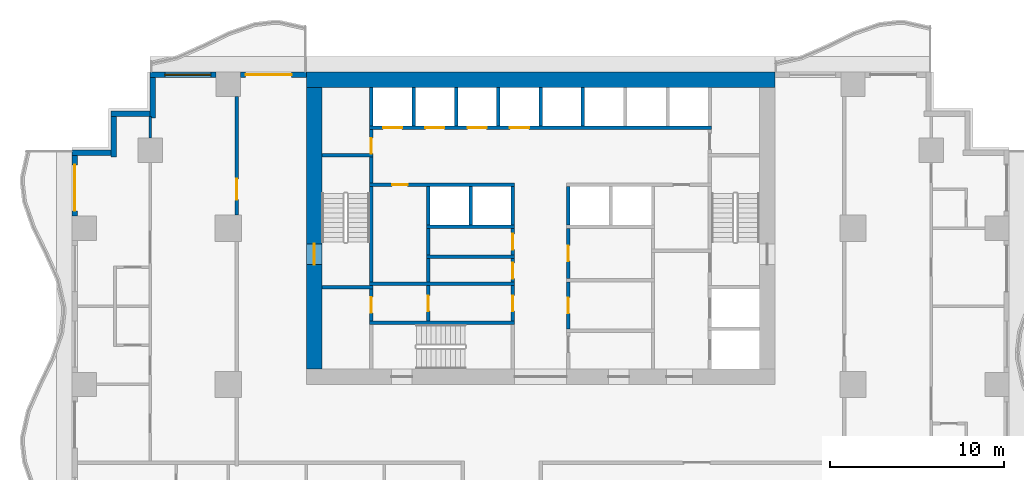
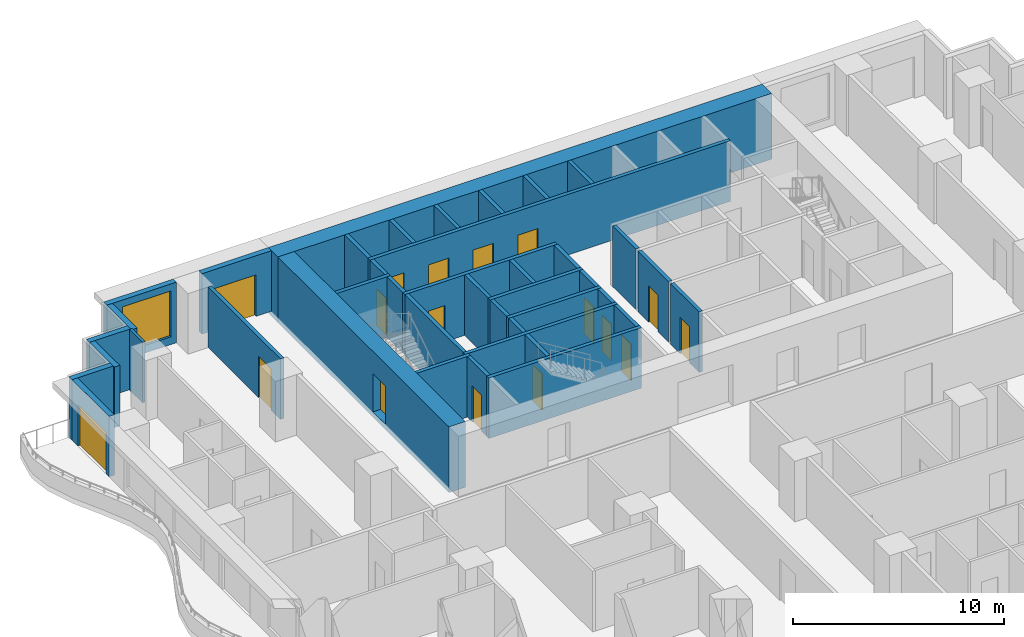
# One storey, part 5 of 14: 41 walls, 17 doors, 1 window, 18 openings.
"""IFC4 building model written with IfcOpenShell, lengths in metres."""

from ifc_helpers import new_model, si_unit, direction, frame, frame_2d, origin, place, context, subcontext, project, spatial, rectangle, extrude, material, layer, layer_set, type_object, element, fill, save


model = new_model("IFC4")

# Units and contexts
model_context = context("Model", 3, precision=1e-05, world=origin(), true_north=direction((0.0, 1.0)))
body_context = subcontext(model_context, "Body", "Model", "MODEL_VIEW")
ifc_project = project(units=[si_unit("LENGTHUNIT", "METRE"), si_unit("AREAUNIT", "SQUARE_METRE"), si_unit("VOLUMEUNIT", "CUBIC_METRE"), si_unit("PLANEANGLEUNIT", "RADIAN"), si_unit("MASSUNIT", "GRAM", prefix="KILO")], contexts=[model_context])

# Site, building, storey
site_placement = place(None, origin())
site = spatial("IfcSite", under=ifc_project, at=site_placement, CompositionType="ELEMENT")
building_placement = place(site_placement, origin())
building = spatial("IfcBuilding", under=site, at=building_placement, Name="Orbiselva Terraces", CompositionType="ELEMENT")
storey_placement = place(building_placement, frame((0.0, 0.0, 49.2)))
storey = spatial("IfcBuildingStorey", under=building, at=storey_placement, Name="L12", CompositionType="ELEMENT", Elevation=49.2)

# Wall, opening, door
ifc_material_1 = material(Name="Concrete C80/95", Category="concrete")
ifc_layer_1 = layer(ifc_material_1, 0.9)
ifc_layer_set_1 = layer_set([ifc_layer_1], Name="Concrete C80/95")
wall_type_1 = type_object("IfcWallType", Name="CORE WALL 900", PredefinedType="SHEAR", material=ifc_layer_set_1)
wall_1_placement = place(storey_placement, frame((-13.05, 21.6, -0.3), z_axis=(0.0, 0.0, 1.0), x_axis=(0.0, -1.0, 0.0)))
wall_1 = element("IfcWall", 1, at=wall_1_placement, inside=storey, type_object=wall_type_1, Name="Core wall L12 west", PredefinedType="SHEAR", context=body_context, shape_type="SweptSolid", body=[
    extrude(rectangle(XDim=16.2, YDim=0.9, at=frame_2d((8.1, 0.0))), origin(), (0.0, 0.0, 1.0), 3.8),
])
opening_1_placement = place(wall_1_placement, frame((9.0, 0.0, 0.3)))
opening_1 = element("IfcOpeningElement", 2, at=opening_1_placement, cuts=wall_1, Name="Opening DS1200", PredefinedType="OPENING", context=body_context, shape_type="SweptSolid", body=[
    extrude(rectangle(XDim=1.2, YDim=2.2, at=frame_2d((0.6, 1.1))), frame((0.0, 0.46, 0.0), z_axis=(0.0, -1.0, 0.0), x_axis=(1.0, 0.0, 0.0)), (0.0, 0.0, 1.0), 0.92),
])
ifc_material_2 = material(Name="Steel fire door", Category="steel")
door_type_1 = type_object("IfcDoorType", Name="STAIR DOOR 1200", OperationType="NOTDEFINED", PredefinedType="DOOR", material=ifc_material_2)
door_1_placement = place(opening_1_placement, frame((1.2, 0.0, 0.0), z_axis=(0.0, 0.0, 1.0), x_axis=(-1.0, 0.0, 0.0)))
door_1 = element("IfcDoor", 3, at=door_1_placement, inside=storey, type_object=door_type_1, Name="L12 EXIT STAIR S1 door", OperationType="SINGLE_SWING_RIGHT", OverallHeight=2.2, OverallWidth=1.2, PredefinedType="DOOR", context=body_context, shape_type="SweptSolid", body=[
    extrude(rectangle(XDim=1.2, YDim=2.2, at=frame_2d((0.6, 1.1))), frame((0.0, 0.025, 0.0), z_axis=(0.0, -1.0, 0.0), x_axis=(1.0, 0.0, 0.0)), (0.0, 0.0, 1.0), 0.05),
])
fill(opening_1, door_1)

# Wall
ifc_layer_2 = layer(ifc_material_1, 0.9)
ifc_layer_set_2 = layer_set([ifc_layer_2], Name="Concrete C80/95")
wall_type_2 = type_object("IfcWallType", Name="CORE WALL 900 EXTERNAL", PredefinedType="SHEAR", material=ifc_layer_set_2)
wall_2_placement = place(storey_placement, frame((13.5, 22.05, -0.3), z_axis=(0.0, 0.0, 1.0), x_axis=(-1.0, 0.0, 0.0)))
element("IfcWall", 4, at=wall_2_placement, inside=storey, type_object=wall_type_2, Name="Core wall L12 north", PredefinedType="SHEAR", context=body_context, shape_type="SweptSolid", body=[
    extrude(rectangle(XDim=27.0, YDim=0.9, at=frame_2d((13.5, 0.0))), origin(), (0.0, 0.0, 1.0), 3.8),
])

# Wall, opening, door
ifc_material_3 = material(Name="Masonry blockwork", Category="masonry")
ifc_layer_3 = layer(ifc_material_3, 0.2)
ifc_layer_set_3 = layer_set([ifc_layer_3], Name="Masonry blockwork")
wall_type_3 = type_object("IfcWallType", Name="CORE-WALL-PARTITION-200", PredefinedType="PARTITIONING", material=ifc_layer_set_3)
wall_3_placement = place(storey_placement, frame((-9.75, 8.15, 0.0), z_axis=(0.0, 0.0, 1.0), x_axis=(0.0, 1.0, 0.0)))
wall_3 = element("IfcWall", 5, at=wall_3_placement, inside=storey, type_object=wall_type_3, Name="L12 core wall 05", PredefinedType="PARTITIONING", context=body_context, shape_type="SweptSolid", body=[
    extrude(rectangle(XDim=1.85, YDim=0.2, at=frame_2d((0.925, 0.0))), origin(), (0.0, 0.0, 1.0), 3.5),
])
opening_2_placement = place(wall_3_placement, frame((0.475, 0.0, 0.0)))
opening_2 = element("IfcOpeningElement", 6, at=opening_2_placement, cuts=wall_3, Name="Opening DR900", PredefinedType="OPENING", context=body_context, shape_type="SweptSolid", body=[
    extrude(rectangle(XDim=0.9, YDim=2.1, at=frame_2d((0.45, 1.05))), frame((0.0, 0.11, 0.0), z_axis=(0.0, -1.0, 0.0), x_axis=(1.0, 0.0, 0.0)), (0.0, 0.0, 1.0), 0.22),
])
door_type_2 = type_object("IfcDoorType", Name="ROOM DOOR 900", OperationType="NOTDEFINED", PredefinedType="DOOR", material=ifc_material_2)
door_2_placement = place(opening_2_placement, origin())
door_2 = element("IfcDoor", 7, at=door_2_placement, inside=storey, type_object=door_type_2, Name="L12 ACCESSIBLE WC door", OperationType="SINGLE_SWING_RIGHT", OverallHeight=2.1, OverallWidth=0.9, PredefinedType="DOOR", context=body_context, shape_type="SweptSolid", body=[
    extrude(rectangle(XDim=0.9, YDim=2.1, at=frame_2d((0.45, 1.05))), frame((0.0, 0.025, 0.0), z_axis=(0.0, -1.0, 0.0), x_axis=(1.0, 0.0, 0.0)), (0.0, 0.0, 1.0), 0.05),
])
fill(opening_2, door_2)

wall_4_placement = place(storey_placement, frame((-9.75, 17.8, 0.0), z_axis=(0.0, 0.0, 1.0), x_axis=(0.0, 1.0, 0.0)))
wall_4 = element("IfcWall", 8, at=wall_4_placement, inside=storey, type_object=wall_type_3, Name="L12 core wall 10", PredefinedType="PARTITIONING", context=body_context, shape_type="SweptSolid", body=[
    extrude(rectangle(XDim=1.4, YDim=0.2, at=frame_2d((0.7, 0.0))), origin(), (0.0, 0.0, 1.0), 3.5),
])
opening_3_placement = place(wall_4_placement, origin())
opening_3 = element("IfcOpeningElement", 9, at=opening_3_placement, cuts=wall_4, Name="Opening DR900", PredefinedType="OPENING", context=body_context, shape_type="SweptSolid", body=[
    extrude(rectangle(XDim=0.9, YDim=2.1, at=frame_2d((0.45, 1.05))), frame((0.0, 0.11, 0.0), z_axis=(0.0, -1.0, 0.0), x_axis=(1.0, 0.0, 0.0)), (0.0, 0.0, 1.0), 0.22),
])
door_3_placement = place(opening_3_placement, origin())
door_3 = element("IfcDoor", 10, at=door_3_placement, inside=storey, type_object=door_type_2, Name="L12 COMMS RISER ROOM door", OperationType="SINGLE_SWING_LEFT", OverallHeight=2.1, OverallWidth=0.9, PredefinedType="DOOR", context=body_context, shape_type="SweptSolid", body=[
    extrude(rectangle(XDim=0.9, YDim=2.1, at=frame_2d((0.45, 1.05))), frame((0.0, 0.025, 0.0), z_axis=(0.0, -1.0, 0.0), x_axis=(1.0, 0.0, 0.0)), (0.0, 0.0, 1.0), 0.05),
])
fill(opening_3, door_3)

wall_5_placement = place(storey_placement, frame((-6.475, 8.15, 0.0), z_axis=(0.0, 0.0, 1.0), x_axis=(0.0, 1.0, 0.0)))
wall_5 = element("IfcWall", 11, at=wall_5_placement, inside=storey, type_object=wall_type_3, Name="L12 core wall 14", PredefinedType="PARTITIONING", context=body_context, shape_type="SweptSolid", body=[
    extrude(rectangle(XDim=2.05, YDim=0.2, at=frame_2d((1.025, 0.0))), origin(), (0.0, 0.0, 1.0), 3.5),
])
opening_4_placement = place(wall_5_placement, frame((0.575, 0.0, 0.0)))
opening_4 = element("IfcOpeningElement", 12, at=opening_4_placement, cuts=wall_5, Name="Opening DR900", PredefinedType="OPENING", context=body_context, shape_type="SweptSolid", body=[
    extrude(rectangle(XDim=0.9, YDim=2.1, at=frame_2d((0.45, 1.05))), frame((0.0, 0.11, 0.0), z_axis=(0.0, -1.0, 0.0), x_axis=(1.0, 0.0, 0.0)), (0.0, 0.0, 1.0), 0.22),
])
door_4_placement = place(opening_4_placement, origin())
door_4 = element("IfcDoor", 13, at=door_4_placement, inside=storey, type_object=door_type_2, Name="L12 CLEANERS STORE door", OperationType="SINGLE_SWING_RIGHT", OverallHeight=2.1, OverallWidth=0.9, PredefinedType="DOOR", context=body_context, shape_type="SweptSolid", body=[
    extrude(rectangle(XDim=0.9, YDim=2.1, at=frame_2d((0.45, 1.05))), frame((0.0, 0.025, 0.0), z_axis=(0.0, -1.0, 0.0), x_axis=(1.0, 0.0, 0.0)), (0.0, 0.0, 1.0), 0.05),
])
fill(opening_4, door_4)

# Walls
wall_6_placement = place(storey_placement, frame((-6.475, 10.4, 0.0), z_axis=(0.0, 0.0, 1.0), x_axis=(0.0, 1.0, 0.0)))
element("IfcWall", 14, at=wall_6_placement, inside=storey, type_object=wall_type_3, Name="L12 core wall 15", PredefinedType="PARTITIONING", context=body_context, shape_type="SweptSolid", body=[
    extrude(rectangle(XDim=1.35, YDim=0.2, at=frame_2d((0.675, 0.0))), origin(), (0.0, 0.0, 1.0), 3.5),
])
wall_7_placement = place(storey_placement, frame((-6.475, 11.95, 0.0), z_axis=(0.0, 0.0, 1.0), x_axis=(0.0, 1.0, 0.0)))
element("IfcWall", 15, at=wall_7_placement, inside=storey, type_object=wall_type_3, Name="L12 core wall 17", PredefinedType="PARTITIONING", context=body_context, shape_type="SweptSolid", body=[
    extrude(rectangle(XDim=1.55, YDim=0.2, at=frame_2d((0.775, 0.0))), origin(), (0.0, 0.0, 1.0), 3.5),
])

# Wall, opening, door
wall_8_placement = place(storey_placement, frame((-1.6, 8.15, 0.0), z_axis=(0.0, 0.0, 1.0), x_axis=(0.0, 1.0, 0.0)))
wall_8 = element("IfcWall", 16, at=wall_8_placement, inside=storey, type_object=wall_type_3, Name="L12 core wall 24", PredefinedType="PARTITIONING", context=body_context, shape_type="SweptSolid", body=[
    extrude(rectangle(XDim=2.05, YDim=0.2, at=frame_2d((1.025, 0.0))), origin(), (0.0, 0.0, 1.0), 3.5),
])
opening_5_placement = place(wall_8_placement, frame((0.575, 0.0, 0.0)))
opening_5 = element("IfcOpeningElement", 17, at=opening_5_placement, cuts=wall_8, Name="Opening DR900", PredefinedType="OPENING", context=body_context, shape_type="SweptSolid", body=[
    extrude(rectangle(XDim=0.9, YDim=2.1, at=frame_2d((0.45, 1.05))), frame((0.0, 0.11, 0.0), z_axis=(0.0, -1.0, 0.0), x_axis=(1.0, 0.0, 0.0)), (0.0, 0.0, 1.0), 0.22),
])
door_5_placement = place(opening_5_placement, origin())
door_5 = element("IfcDoor", 18, at=door_5_placement, inside=storey, type_object=door_type_2, Name="L12 COMMS ROOM door", OperationType="SINGLE_SWING_RIGHT", OverallHeight=2.1, OverallWidth=0.9, PredefinedType="DOOR", context=body_context, shape_type="SweptSolid", body=[
    extrude(rectangle(XDim=0.9, YDim=2.1, at=frame_2d((0.45, 1.05))), frame((0.0, 0.025, 0.0), z_axis=(0.0, -1.0, 0.0), x_axis=(1.0, 0.0, 0.0)), (0.0, 0.0, 1.0), 0.05),
])
fill(opening_5, door_5)

wall_9_placement = place(storey_placement, frame((-1.6, 10.4, 0.0), z_axis=(0.0, 0.0, 1.0), x_axis=(0.0, 1.0, 0.0)))
wall_9 = element("IfcWall", 19, at=wall_9_placement, inside=storey, type_object=wall_type_3, Name="L12 core wall 25", PredefinedType="PARTITIONING", context=body_context, shape_type="SweptSolid", body=[
    extrude(rectangle(XDim=1.35, YDim=0.2, at=frame_2d((0.675, 0.0))), origin(), (0.0, 0.0, 1.0), 3.5),
])
opening_6_placement = place(wall_9_placement, frame((0.2, 0.0, 0.0)))
opening_6 = element("IfcOpeningElement", 20, at=opening_6_placement, cuts=wall_9, Name="Opening DR900", PredefinedType="OPENING", context=body_context, shape_type="SweptSolid", body=[
    extrude(rectangle(XDim=0.9, YDim=2.1, at=frame_2d((0.45, 1.05))), frame((0.0, 0.11, 0.0), z_axis=(0.0, -1.0, 0.0), x_axis=(1.0, 0.0, 0.0)), (0.0, 0.0, 1.0), 0.22),
])
door_6_placement = place(opening_6_placement, origin())
door_6 = element("IfcDoor", 21, at=door_6_placement, inside=storey, type_object=door_type_2, Name="L12 BUILDING STORE door", OperationType="SINGLE_SWING_LEFT", OverallHeight=2.1, OverallWidth=0.9, PredefinedType="DOOR", context=body_context, shape_type="SweptSolid", body=[
    extrude(rectangle(XDim=0.9, YDim=2.1, at=frame_2d((0.45, 1.05))), frame((0.0, 0.025, 0.0), z_axis=(0.0, -1.0, 0.0), x_axis=(1.0, 0.0, 0.0)), (0.0, 0.0, 1.0), 0.05),
])
fill(opening_6, door_6)

wall_10_placement = place(storey_placement, frame((-1.6, 11.95, 0.0), z_axis=(0.0, 0.0, 1.0), x_axis=(0.0, 1.0, 0.0)))
wall_10 = element("IfcWall", 22, at=wall_10_placement, inside=storey, type_object=wall_type_3, Name="L12 core wall 26", PredefinedType="PARTITIONING", context=body_context, shape_type="SweptSolid", body=[
    extrude(rectangle(XDim=1.55, YDim=0.2, at=frame_2d((0.775, 0.0))), origin(), (0.0, 0.0, 1.0), 3.5),
])
opening_7_placement = place(wall_10_placement, frame((0.325, 0.0, 0.0)))
opening_7 = element("IfcOpeningElement", 23, at=opening_7_placement, cuts=wall_10, Name="Opening DR900", PredefinedType="OPENING", context=body_context, shape_type="SweptSolid", body=[
    extrude(rectangle(XDim=0.9, YDim=2.1, at=frame_2d((0.45, 1.05))), frame((0.0, 0.11, 0.0), z_axis=(0.0, -1.0, 0.0), x_axis=(1.0, 0.0, 0.0)), (0.0, 0.0, 1.0), 0.22),
])
door_7_placement = place(opening_7_placement, origin())
door_7 = element("IfcDoor", 24, at=door_7_placement, inside=storey, type_object=door_type_2, Name="L12 LINEN STORE door", OperationType="SINGLE_SWING_LEFT", OverallHeight=2.1, OverallWidth=0.9, PredefinedType="DOOR", context=body_context, shape_type="SweptSolid", body=[
    extrude(rectangle(XDim=0.9, YDim=2.1, at=frame_2d((0.45, 1.05))), frame((0.0, 0.025, 0.0), z_axis=(0.0, -1.0, 0.0), x_axis=(1.0, 0.0, 0.0)), (0.0, 0.0, 1.0), 0.05),
])
fill(opening_7, door_7)

wall_11_placement = place(storey_placement, frame((1.6, 10.4, 0.0), z_axis=(0.0, 0.0, 1.0), x_axis=(0.0, -1.0, 0.0)))
wall_11 = element("IfcWall", 25, at=wall_11_placement, inside=storey, type_object=wall_type_3, Name="L12 core wall 31", PredefinedType="PARTITIONING", context=body_context, shape_type="SweptSolid", body=[
    extrude(rectangle(XDim=2.7, YDim=0.2, at=frame_2d((1.35, 0.0))), origin(), (0.0, 0.0, 1.0), 3.5),
])
opening_8_placement = place(wall_11_placement, frame((0.9, 0.0, 0.0)))
opening_8 = element("IfcOpeningElement", 26, at=opening_8_placement, cuts=wall_11, Name="Opening DR900", PredefinedType="OPENING", context=body_context, shape_type="SweptSolid", body=[
    extrude(rectangle(XDim=0.9, YDim=2.1, at=frame_2d((0.45, 1.05))), frame((0.0, 0.11, 0.0), z_axis=(0.0, -1.0, 0.0), x_axis=(1.0, 0.0, 0.0)), (0.0, 0.0, 1.0), 0.22),
])
door_8_placement = place(opening_8_placement, origin())
door_8 = element("IfcDoor", 27, at=door_8_placement, inside=storey, type_object=door_type_2, Name="L12 SERVICE PANTRY door", OperationType="SINGLE_SWING_LEFT", OverallHeight=2.1, OverallWidth=0.9, PredefinedType="DOOR", context=body_context, shape_type="SweptSolid", body=[
    extrude(rectangle(XDim=0.9, YDim=2.1, at=frame_2d((0.45, 1.05))), frame((0.0, 0.025, 0.0), z_axis=(0.0, -1.0, 0.0), x_axis=(1.0, 0.0, 0.0)), (0.0, 0.0, 1.0), 0.05),
])
fill(opening_8, door_8)

wall_12_placement = place(storey_placement, frame((1.6, 13.5, 0.0), z_axis=(0.0, 0.0, 1.0), x_axis=(0.0, -1.0, 0.0)))
wall_12 = element("IfcWall", 28, at=wall_12_placement, inside=storey, type_object=wall_type_3, Name="L12 core wall 33", PredefinedType="PARTITIONING", context=body_context, shape_type="SweptSolid", body=[
    extrude(rectangle(XDim=2.9, YDim=0.2, at=frame_2d((1.45, 0.0))), origin(), (0.0, 0.0, 1.0), 3.5),
])
opening_9_placement = place(wall_12_placement, frame((1.0, 0.0, 0.0)))
opening_9 = element("IfcOpeningElement", 29, at=opening_9_placement, cuts=wall_12, Name="Opening DR900", PredefinedType="OPENING", context=body_context, shape_type="SweptSolid", body=[
    extrude(rectangle(XDim=0.9, YDim=2.1, at=frame_2d((0.45, 1.05))), frame((0.0, 0.11, 0.0), z_axis=(0.0, -1.0, 0.0), x_axis=(1.0, 0.0, 0.0)), (0.0, 0.0, 1.0), 0.22),
])
door_9_placement = place(opening_9_placement, origin())
door_9 = element("IfcDoor", 30, at=door_9_placement, inside=storey, type_object=door_type_2, Name="L12 STAFF WC door", OperationType="SINGLE_SWING_LEFT", OverallHeight=2.1, OverallWidth=0.9, PredefinedType="DOOR", context=body_context, shape_type="SweptSolid", body=[
    extrude(rectangle(XDim=0.9, YDim=2.1, at=frame_2d((0.45, 1.05))), frame((0.0, 0.025, 0.0), z_axis=(0.0, -1.0, 0.0), x_axis=(1.0, 0.0, 0.0)), (0.0, 0.0, 1.0), 0.05),
])
fill(opening_9, door_9)

# Walls
ifc_material_4 = material(Name="Concrete C40/50", Category="concrete")
ifc_layer_4 = layer(ifc_material_4, 0.2)
ifc_layer_set_4 = layer_set([ifc_layer_4], Name="Concrete C40/50")
wall_type_4 = type_object("IfcWallType", Name="CORE-WALL-SHAFT-200", PredefinedType="PARTITIONING", material=ifc_layer_set_4)
for number, where, z_axis, x_axis, name in (
    (31, (-9.75, 19.4, 0.0), (0.0, 0.0, 1.0), (0.0, 1.0, 0.0), "L12 core wall 12"),
    (32, (-7.3125, 19.4, 0.0), (0.0, 0.0, 1.0), (0.0, 1.0, 0.0), "L12 core wall 13"),
    (33, (-6.475, 13.7, 0.0), (0.0, 0.0, 1.0), (0.0, 1.0, 0.0), "L12 core wall 19"),
    (34, (-4.875, 19.4, 0.0), (0.0, 0.0, 1.0), (0.0, 1.0, 0.0), "L12 core wall 20"),
    (35, (-4.0375, 13.7, 0.0), (0.0, 0.0, 1.0), (0.0, 1.0, 0.0), "L12 core wall 21"),
    (36, (-2.4375, 19.4, 0.0), (0.0, 0.0, 1.0), (0.0, 1.0, 0.0), "L12 core wall 22"),
    (37, (-1.6, 13.7, 0.0), (0.0, 0.0, 1.0), (0.0, 1.0, 0.0), "L12 core wall 27"),
    (38, (0.0, 19.4, 0.0), (0.0, 0.0, 1.0), (0.0, 1.0, 0.0), "L12 core wall 28"),
    (39, (1.6, 13.7, 0.0), (0.0, 0.0, 1.0), (0.0, 1.0, 0.0), "L12 core wall 35"),
    (40, (2.4375, 19.4, 0.0), (0.0, 0.0, 1.0), (0.0, 1.0, 0.0), "L12 core wall 37"),
):
    element("IfcWall", number, at=place(storey_placement, frame(where, z_axis=z_axis, x_axis=x_axis)), inside=storey, type_object=wall_type_4, Name=name, PredefinedType="PARTITIONING", context=body_context, shape_type="SweptSolid", body=[
        extrude(rectangle(XDim=2.2, YDim=0.2, at=frame_2d((1.1, 0.0))), origin(), (0.0, 0.0, 1.0), 3.5),
    ])
ifc_material_5 = material(Name="Concrete C60/75", Category="concrete")
ifc_layer_5 = layer(ifc_material_5, 0.2)
ifc_layer_set_5 = layer_set([ifc_layer_5], Name="Concrete C60/75")
wall_type_5 = type_object("IfcWallType", Name="CORE-WALL-SHEAR-200", PredefinedType="SHEAR", material=ifc_layer_set_5)
for number, where, z_axis, x_axis, name in (
    (41, (-12.6, 10.1, 0.0), (0.0, 0.0, 1.0), (1.0, 0.0, 0.0), "L12 core wall 01"),
    (42, (-12.6, 17.7, 0.0), (0.0, 0.0, 1.0), (1.0, 0.0, 0.0), "L12 core wall 02"),
):
    element("IfcWall", number, at=place(storey_placement, frame(where, z_axis=z_axis, x_axis=x_axis)), inside=storey, type_object=wall_type_5, Name=name, PredefinedType="SHEAR", context=body_context, shape_type="SweptSolid", body=[
        extrude(rectangle(XDim=2.95, YDim=0.2, at=frame_2d((1.475, 0.0))), origin(), (0.0, 0.0, 1.0), 3.5),
    ])
for number, where, z_axis, x_axis, name in (
    (43, (-9.85, 8.05, 0.0), (0.0, 0.0, 1.0), (1.0, 0.0, 0.0), "L12 core wall 04"),
    (44, (-9.85, 10.3, 0.0), (0.0, 0.0, 1.0), (1.0, 0.0, 0.0), "L12 core wall 06"),
):
    element("IfcWall", number, at=place(storey_placement, frame(where, z_axis=z_axis, x_axis=x_axis)), inside=storey, type_object=wall_type_5, Name=name, PredefinedType="SHEAR", context=body_context, shape_type="SweptSolid", body=[
        extrude(rectangle(XDim=8.35, YDim=0.2, at=frame_2d((4.175, 0.0))), origin(), (0.0, 0.0, 1.0), 3.5),
    ])
wall_13_placement = place(storey_placement, frame((-9.75, 10.4, 0.0), z_axis=(0.0, 0.0, 1.0), x_axis=(0.0, 1.0, 0.0)))
element("IfcWall", 45, at=wall_13_placement, inside=storey, type_object=wall_type_5, Name="L12 core wall 07", PredefinedType="SHEAR", context=body_context, shape_type="SweptSolid", body=[
    extrude(rectangle(XDim=5.5, YDim=0.2, at=frame_2d((2.75, 0.0))), origin(), (0.0, 0.0, 1.0), 3.5),
])

# Wall, opening, door
wall_14_placement = place(storey_placement, frame((-1.5, 16.0, 0.0), z_axis=(0.0, 0.0, 1.0), x_axis=(-1.0, 0.0, 0.0)))
wall_14 = element("IfcWall", 46, at=wall_14_placement, inside=storey, type_object=wall_type_5, Name="L12 core wall 08", PredefinedType="SHEAR", context=body_context, shape_type="SweptSolid", body=[
    extrude(rectangle(XDim=8.35, YDim=0.2, at=frame_2d((4.175, 0.0))), origin(), (0.0, 0.0, 1.0), 3.5),
])
opening_10_placement = place(wall_14_placement, frame((6.1625, 0.0, 0.0)))
opening_10 = element("IfcOpeningElement", 47, at=opening_10_placement, cuts=wall_14, Name="Opening DR900", PredefinedType="OPENING", context=body_context, shape_type="SweptSolid", body=[
    extrude(rectangle(XDim=0.9, YDim=2.1, at=frame_2d((0.45, 1.05))), frame((0.0, 0.11, 0.0), z_axis=(0.0, -1.0, 0.0), x_axis=(1.0, 0.0, 0.0)), (0.0, 0.0, 1.0), 0.22),
])
door_10_placement = place(opening_10_placement, origin())
door_10 = element("IfcDoor", 48, at=door_10_placement, inside=storey, type_object=door_type_2, Name="L12 GUEST PANTRY door", OperationType="SINGLE_SWING_RIGHT", OverallHeight=2.1, OverallWidth=0.9, PredefinedType="DOOR", context=body_context, shape_type="SweptSolid", body=[
    extrude(rectangle(XDim=0.9, YDim=2.1, at=frame_2d((0.45, 1.05))), frame((0.0, 0.025, 0.0), z_axis=(0.0, -1.0, 0.0), x_axis=(1.0, 0.0, 0.0)), (0.0, 0.0, 1.0), 0.05),
])
fill(opening_10, door_10)

# Wall
wall_15_placement = place(storey_placement, frame((-9.75, 16.1, 0.0), z_axis=(0.0, 0.0, 1.0), x_axis=(0.0, 1.0, 0.0)))
element("IfcWall", 49, at=wall_15_placement, inside=storey, type_object=wall_type_5, Name="L12 core wall 09", PredefinedType="SHEAR", context=body_context, shape_type="SweptSolid", body=[
    extrude(rectangle(XDim=1.5, YDim=0.2, at=frame_2d((0.75, 0.0))), origin(), (0.0, 0.0, 1.0), 3.5),
])

# Wall, openings, doors
wall_16_placement = place(storey_placement, frame((-9.85, 19.3, 0.0), z_axis=(0.0, 0.0, 1.0), x_axis=(1.0, 0.0, 0.0)))
wall_16 = element("IfcWall", 50, at=wall_16_placement, inside=storey, type_object=wall_type_5, Name="L12 core wall 11", PredefinedType="SHEAR", context=body_context, shape_type="SweptSolid", body=[
    extrude(rectangle(XDim=19.7, YDim=0.2, at=frame_2d((9.85, 0.0))), origin(), (0.0, 0.0, 1.0), 3.5),
])
opening_11_placement = place(wall_16_placement, frame((0.76875, 0.0, 0.0)))
opening_11 = element("IfcOpeningElement", 51, at=opening_11_placement, cuts=wall_16, Name="Opening LD-LR1", PredefinedType="OPENING", context=body_context, shape_type="SweptSolid", body=[
    extrude(rectangle(XDim=1.1, YDim=2.1, at=frame_2d((0.55, 1.05))), frame((0.0, 0.11, 0.0), z_axis=(0.0, -1.0, 0.0), x_axis=(1.0, 0.0, 0.0)), (0.0, 0.0, 1.0), 0.22),
])
opening_12_placement = place(wall_16_placement, frame((3.20625, 0.0, 0.0)))
opening_12 = element("IfcOpeningElement", 52, at=opening_12_placement, cuts=wall_16, Name="Opening LD-LR2", PredefinedType="OPENING", context=body_context, shape_type="SweptSolid", body=[
    extrude(rectangle(XDim=1.1, YDim=2.1, at=frame_2d((0.55, 1.05))), frame((0.0, 0.11, 0.0), z_axis=(0.0, -1.0, 0.0), x_axis=(1.0, 0.0, 0.0)), (0.0, 0.0, 1.0), 0.22),
])
opening_13_placement = place(wall_16_placement, frame((5.64375, 0.0, 0.0)))
opening_13 = element("IfcOpeningElement", 53, at=opening_13_placement, cuts=wall_16, Name="Opening LD-LR3", PredefinedType="OPENING", context=body_context, shape_type="SweptSolid", body=[
    extrude(rectangle(XDim=1.1, YDim=2.1, at=frame_2d((0.55, 1.05))), frame((0.0, 0.11, 0.0), z_axis=(0.0, -1.0, 0.0), x_axis=(1.0, 0.0, 0.0)), (0.0, 0.0, 1.0), 0.22),
])
opening_14_placement = place(wall_16_placement, frame((8.08125, 0.0, 0.0)))
opening_14 = element("IfcOpeningElement", 54, at=opening_14_placement, cuts=wall_16, Name="Opening LD-LR4", PredefinedType="OPENING", context=body_context, shape_type="SweptSolid", body=[
    extrude(rectangle(XDim=1.1, YDim=2.1, at=frame_2d((0.55, 1.05))), frame((0.0, 0.11, 0.0), z_axis=(0.0, -1.0, 0.0), x_axis=(1.0, 0.0, 0.0)), (0.0, 0.0, 1.0), 0.22),
])
ifc_material_6 = material(Name="Stainless steel landing door", Category="steel")
door_type_3 = type_object("IfcDoorType", Name="LANDING DOOR 1100", OperationType="SLIDING_TO_LEFT", PredefinedType="DOOR", material=ifc_material_6)
door_11_placement = place(opening_11_placement, origin())
door_11 = element("IfcDoor", 55, at=door_11_placement, inside=storey, type_object=door_type_3, Name="L12 landing door LR1", OperationType="SLIDING_TO_LEFT", OverallHeight=2.1, OverallWidth=1.1, PredefinedType="DOOR", context=body_context, shape_type="SweptSolid", body=[
    extrude(rectangle(XDim=1.1, YDim=2.1, at=frame_2d((0.55, 1.05))), frame((0.0, 0.025, 0.0), z_axis=(0.0, -1.0, 0.0), x_axis=(1.0, 0.0, 0.0)), (0.0, 0.0, 1.0), 0.05),
])
fill(opening_11, door_11)
door_12_placement = place(opening_12_placement, origin())
door_12 = element("IfcDoor", 56, at=door_12_placement, inside=storey, type_object=door_type_3, Name="L12 landing door LR2", OperationType="SLIDING_TO_LEFT", OverallHeight=2.1, OverallWidth=1.1, PredefinedType="DOOR", context=body_context, shape_type="SweptSolid", body=[
    extrude(rectangle(XDim=1.1, YDim=2.1, at=frame_2d((0.55, 1.05))), frame((0.0, 0.025, 0.0), z_axis=(0.0, -1.0, 0.0), x_axis=(1.0, 0.0, 0.0)), (0.0, 0.0, 1.0), 0.05),
])
fill(opening_12, door_12)
door_13_placement = place(opening_13_placement, origin())
door_13 = element("IfcDoor", 57, at=door_13_placement, inside=storey, type_object=door_type_3, Name="L12 landing door LR3", OperationType="SLIDING_TO_LEFT", OverallHeight=2.1, OverallWidth=1.1, PredefinedType="DOOR", context=body_context, shape_type="SweptSolid", body=[
    extrude(rectangle(XDim=1.1, YDim=2.1, at=frame_2d((0.55, 1.05))), frame((0.0, 0.025, 0.0), z_axis=(0.0, -1.0, 0.0), x_axis=(1.0, 0.0, 0.0)), (0.0, 0.0, 1.0), 0.05),
])
fill(opening_13, door_13)
door_14_placement = place(opening_14_placement, origin())
door_14 = element("IfcDoor", 58, at=door_14_placement, inside=storey, type_object=door_type_3, Name="L12 landing door LR4", OperationType="SLIDING_TO_LEFT", OverallHeight=2.1, OverallWidth=1.1, PredefinedType="DOOR", context=body_context, shape_type="SweptSolid", body=[
    extrude(rectangle(XDim=1.1, YDim=2.1, at=frame_2d((0.55, 1.05))), frame((0.0, 0.025, 0.0), z_axis=(0.0, -1.0, 0.0), x_axis=(1.0, 0.0, 0.0)), (0.0, 0.0, 1.0), 0.05),
])
fill(opening_14, door_14)

# Walls
for number, where, z_axis, x_axis, name in (
    (59, (-6.575, 11.85, 0.0), (0.0, 0.0, 1.0), (1.0, 0.0, 0.0), "L12 core wall 16"),
    (60, (-6.575, 13.6, 0.0), (0.0, 0.0, 1.0), (1.0, 0.0, 0.0), "L12 core wall 18"),
):
    element("IfcWall", number, at=place(storey_placement, frame(where, z_axis=z_axis, x_axis=x_axis)), inside=storey, type_object=wall_type_5, Name=name, PredefinedType="SHEAR", context=body_context, shape_type="SweptSolid", body=[
        extrude(rectangle(XDim=5.075, YDim=0.2, at=frame_2d((2.5375, 0.0))), origin(), (0.0, 0.0, 1.0), 3.5),
    ])

# Wall, opening, door
ifc_material_7 = material(Name="Terracotta cladding on masonry backing", Category="masonry")
ifc_layer_6 = layer(ifc_material_7, 0.3)
ifc_layer_set_6 = layer_set([ifc_layer_6], Name="Terracotta cladding on masonry backing")
wall_type_6 = type_object("IfcWallType", Name="ENV-WALL-TERRACOTTA-300", PredefinedType="SOLIDWALL", material=ifc_layer_set_6)
wall_17_placement = place(storey_placement, frame((-17.3, 22.35, 0.0), z_axis=(0.0, 0.0, 1.0), x_axis=(1.0, 0.0, 0.0)))
wall_17 = element("IfcWall", 61, at=wall_17_placement, inside=storey, type_object=wall_type_6, Name="Facade wall L12 NW", PredefinedType="SOLIDWALL", context=body_context, shape_type="SweptSolid", body=[
    extrude(rectangle(XDim=3.8, YDim=0.3, at=frame_2d((1.9, 0.0))), origin(), (0.0, 0.0, 1.0), 3.5),
])
opening_15_placement = place(wall_17_placement, frame((0.3, 0.0, 0.0)))
opening_15 = element("IfcOpeningElement", 62, at=opening_15_placement, cuts=wall_17, Name="Opening Z1-D-E10", PredefinedType="OPENING", context=body_context, shape_type="SweptSolid", body=[
    extrude(rectangle(XDim=2.65, YDim=2.4, at=frame_2d((1.325, 1.2))), frame((0.0, 0.16, 0.0), z_axis=(0.0, -1.0, 0.0), x_axis=(1.0, 0.0, 0.0)), (0.0, 0.0, 1.0), 0.32),
])
ifc_material_8 = material(Name="Clear low-e glazing in aluminium frame", Category="aluminium")
door_type_4 = type_object("IfcDoorType", Name="BALCONY DOOR 2650 X 2400", OperationType="DOUBLE_DOOR_SLIDING", PredefinedType="DOOR", material=ifc_material_8)
door_15_placement = place(opening_15_placement, origin())
door_15 = element("IfcDoor", 63, at=door_15_placement, inside=storey, type_object=door_type_4, Name="Z1-D-E10", OperationType="SINGLE_SWING_LEFT", OverallHeight=2.4, OverallWidth=2.65, PredefinedType="DOOR", context=body_context, shape_type="SweptSolid", body=[
    extrude(rectangle(XDim=2.65, YDim=2.4, at=frame_2d((1.325, 1.2))), frame((0.0, 0.025, 0.0), z_axis=(0.0, -1.0, 0.0), x_axis=(1.0, 0.0, 0.0)), (0.0, 0.0, 1.0), 0.05),
])
fill(opening_15, door_15)

# Wall, opening, window
wall_18_placement = place(storey_placement, frame((-22.5, 22.35, 0.0), z_axis=(0.0, 0.0, 1.0), x_axis=(1.0, 0.0, 0.0)))
wall_18 = element("IfcWall", 64, at=wall_18_placement, inside=storey, type_object=wall_type_6, Name="Facade wall L12 NW", PredefinedType="SOLIDWALL", context=body_context, shape_type="SweptSolid", body=[
    extrude(rectangle(XDim=3.8, YDim=0.3, at=frame_2d((1.9, 0.0))), origin(), (0.0, 0.0, 1.0), 3.5),
])
opening_16_placement = place(wall_18_placement, frame((0.85, 0.0, 0.45)))
opening_16 = element("IfcOpeningElement", 65, at=opening_16_placement, cuts=wall_18, Name="Opening WN3", PredefinedType="OPENING", context=body_context, shape_type="SweptSolid", body=[
    extrude(rectangle(XDim=2.65, YDim=2.65, at=frame_2d((1.325, 1.325))), frame((0.0, 0.16, 0.0), z_axis=(0.0, -1.0, 0.0), x_axis=(1.0, 0.0, 0.0)), (0.0, 0.0, 1.0), 0.32),
])
window_type = type_object("IfcWindowType", Name="WINDOW 2650 X 2650 S450", PartitioningType="TRIPLE_PANEL_VERTICAL", PredefinedType="WINDOW", material=ifc_material_8)
window_placement = place(opening_16_placement, origin())
window = element("IfcWindow", 66, at=window_placement, inside=storey, type_object=window_type, Name="Window L12 NW", OverallHeight=2.65, OverallWidth=2.65, PartitioningType="SINGLE_PANEL", PredefinedType="WINDOW", context=body_context, shape_type="SweptSolid", body=[
    extrude(rectangle(XDim=2.65, YDim=2.65, at=frame_2d((1.325, 1.325))), frame((0.0, 0.03, 0.0), z_axis=(0.0, -1.0, 0.0), x_axis=(1.0, 0.0, 0.0)), (0.0, 0.0, 1.0), 0.06),
])
fill(opening_16, window)

# Walls
wall_19_placement = place(storey_placement, frame((-22.35, 19.85, 0.0), z_axis=(0.0, 0.0, 1.0), x_axis=(0.0, 1.0, 0.0)))
element("IfcWall", 67, at=wall_19_placement, inside=storey, type_object=wall_type_6, Name="Facade wall L12 STEP", PredefinedType="SOLIDWALL", context=body_context, shape_type="SweptSolid", body=[
    extrude(rectangle(XDim=2.35, YDim=0.3, at=frame_2d((1.175, 0.0))), origin(), (0.0, 0.0, 1.0), 3.5),
])
wall_20_placement = place(storey_placement, frame((-24.75, 20.1, 0.0), z_axis=(0.0, 0.0, 1.0), x_axis=(1.0, 0.0, 0.0)))
element("IfcWall", 68, at=wall_20_placement, inside=storey, type_object=wall_type_6, Name="Facade wall L12 STEP", PredefinedType="SOLIDWALL", context=body_context, shape_type="SweptSolid", body=[
    extrude(rectangle(XDim=2.25, YDim=0.3, at=frame_2d((1.125, 0.0))), origin(), (0.0, 0.0, 1.0), 3.5),
])
wall_21_placement = place(storey_placement, frame((-24.6, 17.6, 0.0), z_axis=(0.0, 0.0, 1.0), x_axis=(0.0, 1.0, 0.0)))
element("IfcWall", 69, at=wall_21_placement, inside=storey, type_object=wall_type_6, Name="Facade wall L12 STEP", PredefinedType="SOLIDWALL", context=body_context, shape_type="SweptSolid", body=[
    extrude(rectangle(XDim=2.35, YDim=0.3, at=frame_2d((1.175, 0.0))), origin(), (0.0, 0.0, 1.0), 3.5),
])
wall_22_placement = place(storey_placement, frame((-27.0, 17.85, 0.0), z_axis=(0.0, 0.0, 1.0), x_axis=(1.0, 0.0, 0.0)))
element("IfcWall", 70, at=wall_22_placement, inside=storey, type_object=wall_type_6, Name="Facade wall L12 STEP", PredefinedType="SOLIDWALL", context=body_context, shape_type="SweptSolid", body=[
    extrude(rectangle(XDim=2.25, YDim=0.3, at=frame_2d((1.125, 0.0))), origin(), (0.0, 0.0, 1.0), 3.5),
])

# Wall, opening, door
wall_23_placement = place(storey_placement, frame((-26.85, 14.2, 0.0), z_axis=(0.0, 0.0, 1.0), x_axis=(0.0, 1.0, 0.0)))
wall_23 = element("IfcWall", 71, at=wall_23_placement, inside=storey, type_object=wall_type_6, Name="Facade wall L12 W", PredefinedType="SOLIDWALL", context=body_context, shape_type="SweptSolid", body=[
    extrude(rectangle(XDim=3.5, YDim=0.3, at=frame_2d((1.75, 0.0))), origin(), (0.0, 0.0, 1.0), 3.5),
])
opening_17_placement = place(wall_23_placement, frame((0.3, 0.0, 0.0)))
opening_17 = element("IfcOpeningElement", 72, at=opening_17_placement, cuts=wall_23, Name="Opening Z1-D-E11", PredefinedType="OPENING", context=body_context, shape_type="SweptSolid", body=[
    extrude(rectangle(XDim=2.65, YDim=2.4, at=frame_2d((1.325, 1.2))), frame((0.0, 0.16, 0.0), z_axis=(0.0, -1.0, 0.0), x_axis=(1.0, 0.0, 0.0)), (0.0, 0.0, 1.0), 0.32),
])
door_16_placement = place(opening_17_placement, origin())
door_16 = element("IfcDoor", 73, at=door_16_placement, inside=storey, type_object=door_type_4, Name="Z1-D-E11", OperationType="SINGLE_SWING_LEFT", OverallHeight=2.4, OverallWidth=2.65, PredefinedType="DOOR", context=body_context, shape_type="SweptSolid", body=[
    extrude(rectangle(XDim=2.65, YDim=2.4, at=frame_2d((1.325, 1.2))), frame((0.0, 0.025, 0.0), z_axis=(0.0, -1.0, 0.0), x_axis=(1.0, 0.0, 0.0)), (0.0, 0.0, 1.0), 0.05),
])
fill(opening_17, door_16)

ifc_material_9 = material(Name="Plasterboard on steel stud partition", Category="steel")
ifc_layer_7 = layer(ifc_material_9, 0.2)
ifc_layer_set_7 = layer_set([ifc_layer_7], Name="Plasterboard on steel stud partition")
wall_type_7 = type_object("IfcWallType", Name="UNIT-ENTRANCE-WALL-200", PredefinedType="PARTITIONING", material=ifc_layer_set_7)
wall_24_placement = place(storey_placement, frame((-17.5, 14.25, 0.0), z_axis=(0.0, 0.0, 1.0), x_axis=(0.0, 1.0, 0.0)))
wall_24 = element("IfcWall", 74, at=wall_24_placement, inside=storey, type_object=wall_type_7, Name="PARTITION L12-052", PredefinedType="PARTITIONING", context=body_context, shape_type="SweptSolid", body=[
    extrude(rectangle(XDim=6.85, YDim=0.2, at=frame_2d((3.425, 0.0))), origin(), (0.0, 0.0, 1.0), 3.5),
])
opening_18_placement = place(wall_24_placement, frame((0.9, 0.0, 0.0)))
opening_18 = element("IfcOpeningElement", 75, at=opening_18_placement, cuts=wall_24, Name="Opening Z1-D-01", PredefinedType="OPENING", context=body_context, shape_type="SweptSolid", body=[
    extrude(rectangle(XDim=1.2, YDim=2.4, at=frame_2d((0.6, 1.2))), frame((0.0, 0.11, 0.0), z_axis=(0.0, -1.0, 0.0), x_axis=(1.0, 0.0, 0.0)), (0.0, 0.0, 1.0), 0.22),
])
ifc_material_10 = material(Name="Painted timber door leaf", Category="wood")
door_type_5 = type_object("IfcDoorType", Name="ENTRANCE DOOR 1200", OperationType="NOTDEFINED", PredefinedType="DOOR", material=ifc_material_10)
door_17_placement = place(opening_18_placement, origin())
door_17 = element("IfcDoor", 76, at=door_17_placement, inside=storey, type_object=door_type_5, Name="Z1-D-01", OperationType="SINGLE_SWING_LEFT", OverallHeight=2.4, OverallWidth=1.2, PredefinedType="DOOR", context=body_context, shape_type="SweptSolid", body=[
    extrude(rectangle(XDim=1.2, YDim=2.4, at=frame_2d((0.6, 1.2))), frame((0.0, 0.025, 0.0), z_axis=(0.0, -1.0, 0.0), x_axis=(1.0, 0.0, 0.0)), (0.0, 0.0, 1.0), 0.05),
])
fill(opening_18, door_17)

# Wall
ifc_layer_8 = layer(ifc_material_9, 0.15)
ifc_layer_set_8 = layer_set([ifc_layer_8], Name="Plasterboard on steel stud partition")
wall_type_8 = type_object("IfcWallType", Name="UNIT-PARTITION-150", PredefinedType="PARTITIONING", material=ifc_layer_set_8)
wall_25_placement = place(storey_placement, frame((-22.5, 18.7, 0.0), z_axis=(0.0, 0.0, 1.0), x_axis=(0.0, 1.0, 0.0)))
element("IfcWall", 77, at=wall_25_placement, inside=storey, type_object=wall_type_8, Name="PARTITION L12-043", PredefinedType="PARTITIONING", context=body_context, shape_type="SweptSolid", body=[
    extrude(rectangle(XDim=1.25, YDim=0.15, at=frame_2d((0.625, 0.0))), origin(), (0.0, 0.0, 1.0), 3.5),
])

save(model, "model.ifc")
